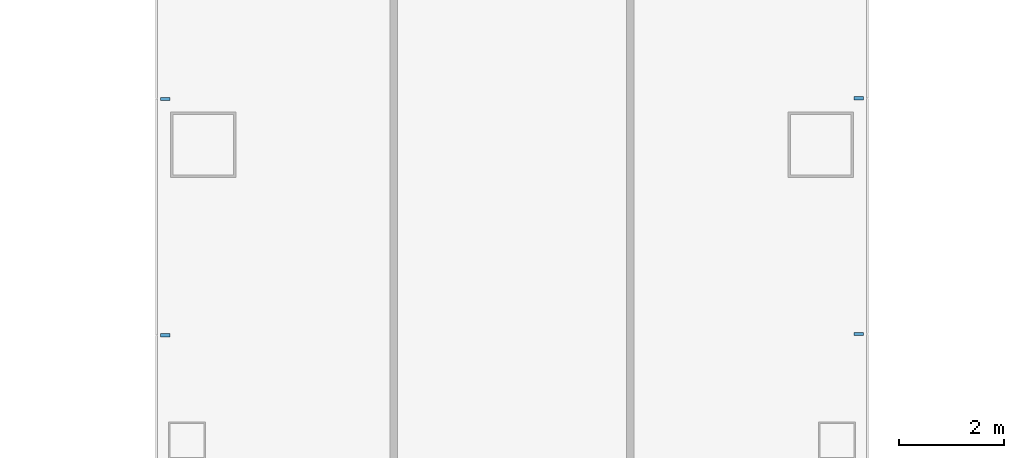
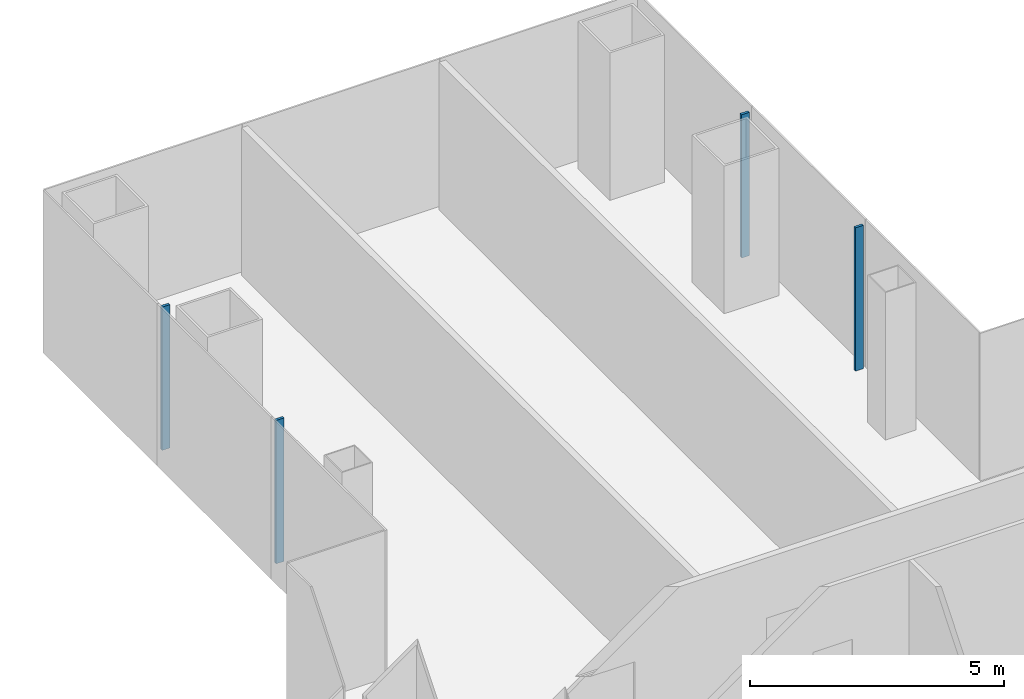
# One storey, part 8 of 18: 4 members, 2 elements without a shape of their own.
"""IFC4 building model written with IfcOpenShell, lengths in metres."""

from ifc_helpers import new_model, si_unit, direction, frame, origin, origin_2d, place, context, subcontext, project, spatial, rectangle, extrude, material, layer, layer_set, material_profile, profile_set, type_object, element, aggregate, save


model = new_model("IFC4")

# Units and contexts
model_context = context("Model", 3, precision=1e-05, world=origin(), true_north=direction((0.0, 1.0)))
body_context = subcontext(model_context, "Body", "Model", "MODEL_VIEW")
ifc_project = project(units=[si_unit("LENGTHUNIT", "METRE"), si_unit("AREAUNIT", "SQUARE_METRE"), si_unit("VOLUMEUNIT", "CUBIC_METRE"), si_unit("PLANEANGLEUNIT", "RADIAN"), si_unit("MASSUNIT", "GRAM", prefix="KILO")], contexts=[model_context])

# Site, building, storey
site_placement = place(None, origin())
site = spatial("IfcSite", under=ifc_project, at=site_placement, CompositionType="ELEMENT")
building_placement = place(site_placement, origin())
building = spatial("IfcBuilding", under=site, at=building_placement, Name="Shamsa Quay Exchange Towers", CompositionType="ELEMENT")
storey_placement = place(building_placement, frame((0.0, 0.0, 117.0)))
storey = spatial("IfcBuildingStorey", under=building, at=storey_placement, Name="L27", CompositionType="ELEMENT", Elevation=117.0)

# Curtain wall, members
ifc_material = material(Name="Aluminium EN AW-6063 T6, black anodised", Category="aluminium")
ifc_layer = layer(ifc_material, 0.280029296875)
ifc_layer_set = layer_set([ifc_layer], Name="CW-1 UNITISED VISION GLASS")
curtain_wall_type = type_object("IfcCurtainWallType", Name="CW-1 UNITISED VISION GLASS", PredefinedType="NOTDEFINED", material=ifc_layer_set)
curtain_wall_1_placement = place(storey_placement, origin())
curtain_wall_1 = element("IfcCurtainWall", 1, at=curtain_wall_1_placement, inside=storey, type_object=curtain_wall_type, Name="CW1 T2-FLK-U+S L27", PredefinedType="NOTDEFINED")
ifc_material_profile = material_profile(ifc_material, rectangle(XDim=0.179931640625, YDim=0.06005859375, at=origin_2d()), Name="MU60x180")
ifc_profile_set = profile_set([ifc_material_profile], Name="Aluminium EN AW-6063 T6, black anodised")
member_type = type_object("IfcMemberType", Name="CW1 MULLION 60x180", PredefinedType="MULLION", material=ifc_profile_set)
member_1_placement = place(storey_placement, frame((40.35009765625, 15.775390625, 0.0), z_axis=(0.0, 0.0, 1.0), x_axis=(-1.0, 0.0, 0.0)))
member_1 = element("IfcMember", 2, at=member_1_placement, type_object=member_type, Name="CW1 mullion", PredefinedType="MULLION", context=body_context, shape_type="SweptSolid", body=[
    extrude(rectangle(XDim=0.179931640625, YDim=0.06005859375, at=origin_2d()), origin(), (0.0, 0.0, 1.0), 3.449951171875),
])
member_2_placement = place(storey_placement, frame((40.35009765625, 20.2626953125, 0.0), z_axis=(0.0, 0.0, 1.0), x_axis=(-1.0, 0.0, 0.0)))
member_2 = element("IfcMember", 3, at=member_2_placement, type_object=member_type, Name="CW1 mullion", PredefinedType="MULLION", context=body_context, shape_type="SweptSolid", body=[
    extrude(rectangle(XDim=0.179931640625, YDim=0.06005859375, at=origin_2d()), origin(), (0.0, 0.0, 1.0), 3.449951171875),
])
aggregate(curtain_wall_1, [member_1, member_2])

curtain_wall_2_placement = place(storey_placement, origin())
curtain_wall_2 = element("IfcCurtainWall", 4, at=curtain_wall_2_placement, inside=storey, type_object=curtain_wall_type, Name="CW1 T2-FLK-U+N L27", PredefinedType="NOTDEFINED")
member_3_placement = place(storey_placement, frame((27.14990234375, 20.25, 0.0)))
member_3 = element("IfcMember", 5, at=member_3_placement, type_object=member_type, Name="CW1 mullion", PredefinedType="MULLION", context=body_context, shape_type="SweptSolid", body=[
    extrude(rectangle(XDim=0.179931640625, YDim=0.06005859375, at=origin_2d()), origin(), (0.0, 0.0, 1.0), 3.449951171875),
])
member_4_placement = place(storey_placement, frame((27.14990234375, 15.75, 0.0)))
member_4 = element("IfcMember", 6, at=member_4_placement, type_object=member_type, Name="CW1 mullion", PredefinedType="MULLION", context=body_context, shape_type="SweptSolid", body=[
    extrude(rectangle(XDim=0.179931640625, YDim=0.06005859375, at=origin_2d()), origin(), (0.0, 0.0, 1.0), 3.449951171875),
])
aggregate(curtain_wall_2, [member_3, member_4])

save(model, "model.ifc")
